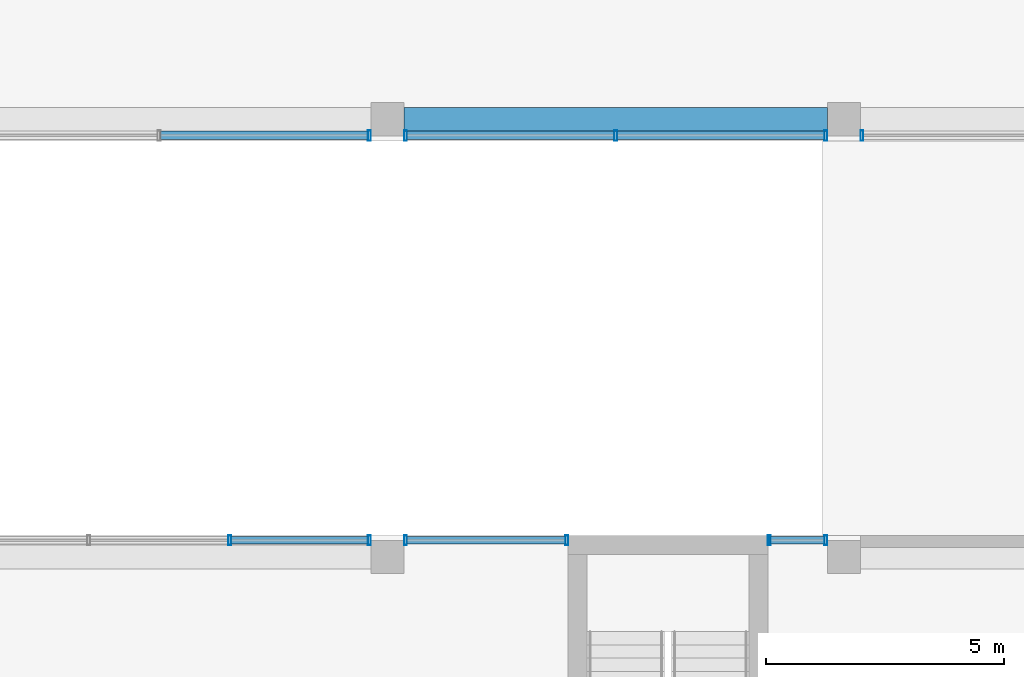
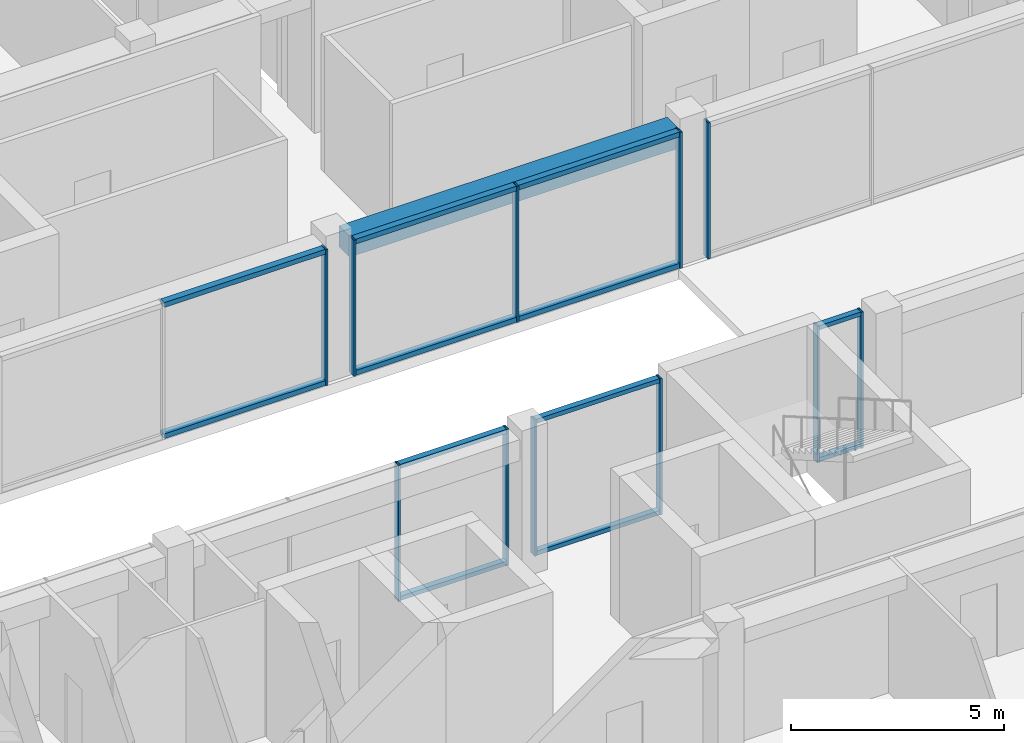
# One storey, part 9 of 27: 23 members, 1 beam, 6 elements without a shape of their own.
"""IFC4 building model written with IfcOpenShell, lengths in metres."""

import ifcopenshell
import ifcopenshell.guid

model = None  # the IFC model being written
_history = None  # IfcOwnerHistory: only IFC2X3 demands one
_inside = {}  # id of a spatial element -> (the spatial element, [elements in it])
_under = {}  # id of a project, library or spatial element -> (it, [spatial elements below it])
_declared = {}  # id of a project -> (the project, [libraries it declares])
_typed = {}  # id of a type object -> (the type object, [elements of that type])
_made_of = {}  # id of a material, layer set ... -> (it, [elements and type objects made of it])


def new_model(schema):
    """Start an empty IFC model of exactly this schema.

    Asked for "IFC4X3", IfcOpenShell would pick the latest addendum, in which some entities
    have other attributes; the version numbers below select the first issue.
    IFC2X3 requires an IfcOwnerHistory on every rooted entity: one is made here for all.
    """
    global model, _history
    if schema == "IFC4X3":
        model = ifcopenshell.file(schema_version=(4, 3, 0, 0))
    else:
        model = ifcopenshell.file(schema=schema)
    _inside.clear()
    _under.clear()
    _declared.clear()
    _typed.clear()
    _made_of.clear()
    _history = None
    if model.schema == "IFC2X3":
        org = make("IfcOrganization", Name="unknown")
        user = make(
            "IfcPersonAndOrganization",
            ThePerson=make("IfcPerson", FamilyName="unknown"),
            TheOrganization=org,
        )
        app = make(
            "IfcApplication",
            ApplicationDeveloper=org,
            Version="unknown",
            ApplicationFullName="unknown",
            ApplicationIdentifier="unknown",
        )
        _history = make(
            "IfcOwnerHistory",
            OwningUser=user,
            OwningApplication=app,
            ChangeAction="ADDED",
            CreationDate=0,
        )
    return model


def make(cls, **values):
    """One entity of the class cls with the attributes given. An attribute that is None is left unset."""
    return model.create_entity(
        cls, **{name: value for name, value in values.items() if value is not None}
    )


def rooted(cls, **values):
    """An entity with a GlobalId (a new one), such as an element, a storey or a relation."""
    return make(cls, GlobalId=ifcopenshell.guid.new(), OwnerHistory=_history, **values)


def si_unit(unit_type, name, prefix=None):
    """IfcSIUnit, for example si_unit("LENGTHUNIT", "METRE", prefix="MILLI")."""
    return make("IfcSIUnit", UnitType=unit_type, Prefix=prefix, Name=name)


def assignment(units):
    """IfcUnitAssignment: the units of a project."""
    return None if units is None else make("IfcUnitAssignment", Units=units)


def point(xyz):
    """IfcCartesianPoint."""
    return None if xyz is None else make("IfcCartesianPoint", Coordinates=xyz)


def direction(xyz):
    """IfcDirection."""
    return None if xyz is None else make("IfcDirection", DirectionRatios=xyz)


def frame(location, z_axis=None, x_axis=None):
    """IfcAxis2Placement3D, a coordinate frame: its origin and axes. An axis left out is left unset."""
    return make(
        "IfcAxis2Placement3D",
        Location=point(location),
        Axis=direction(z_axis),
        RefDirection=direction(x_axis),
    )


def frame_2d(location, x_axis=None):
    """IfcAxis2Placement2D, a coordinate frame in the plane: its origin and x axis."""
    return make(
        "IfcAxis2Placement2D", Location=point(location), RefDirection=direction(x_axis)
    )


def origin():
    """The frame at (0, 0, 0) with its axes left unset."""
    return frame((0.0, 0.0, 0.0))


def origin_2d():
    """The frame at (0, 0) in the plane with its x axis left unset."""
    return frame_2d((0.0, 0.0))


def place(relative_to, where):
    """IfcLocalPlacement: puts the frame where relative to a parent placement (None: the world)."""
    return make(
        "IfcLocalPlacement", PlacementRelTo=relative_to, RelativePlacement=where
    )


def context(
    kind, dimensions, precision=None, world=None, true_north=None, identifier=None
):
    """IfcGeometricRepresentationContext, for example the 3D "Model" context."""
    return make(
        "IfcGeometricRepresentationContext",
        ContextIdentifier=identifier,
        ContextType=kind,
        CoordinateSpaceDimension=dimensions,
        Precision=precision,
        WorldCoordinateSystem=world,
        TrueNorth=true_north,
    )


def subcontext(parent, identifier, kind, view, scale=None):
    """IfcGeometricRepresentationSubContext, for example "Body" below "Model"."""
    return make(
        "IfcGeometricRepresentationSubContext",
        ContextIdentifier=identifier,
        ContextType=kind,
        ParentContext=parent,
        TargetScale=scale,
        TargetView=view,
    )


def project(units=None, contexts=None):
    """IfcProject with its units and contexts."""
    return rooted(
        "IfcProject",
        Name="project",
        RepresentationContexts=contexts,
        UnitsInContext=assignment(units),
    )


def spatial(cls, under=None, at=None, **own):
    """A site, building, storey or space (cls), placed at a placement, below another one or the project."""
    s = rooted(cls, ObjectPlacement=at, **own)
    if under is not None:
        _under.setdefault(under.id(), (under, []))[1].append(s)
    return s


def profile(cls, at=None, kind="AREA", **sizes):
    """A parametric profile (cls). Its sizes go by their IFC names, for example OverallWidth=200.0."""
    return make(cls, ProfileType=kind, Position=at, **sizes)


def rectangle(**sizes):
    """IfcRectangleProfileDef."""
    return profile("IfcRectangleProfileDef", **sizes)


def hollow_rectangle(**sizes):
    """IfcRectangleHollowProfileDef."""
    return profile("IfcRectangleHollowProfileDef", **sizes)


def extrude(swept, where, along, depth):
    """IfcExtrudedAreaSolid: the profile swept, set in the frame where, extruded along a direction by depth."""
    return make(
        "IfcExtrudedAreaSolid",
        SweptArea=swept,
        Position=where,
        ExtrudedDirection=direction(along),
        Depth=depth,
    )


def shape(context_of_items, identifier, shape_type, items):
    """IfcShapeRepresentation: the items that make up one representation, for example the "Body"."""
    return make(
        "IfcShapeRepresentation",
        ContextOfItems=context_of_items,
        RepresentationIdentifier=identifier,
        RepresentationType=shape_type,
        Items=items,
    )


def material(Name=None, Category=None):
    """IfcMaterial."""
    return make("IfcMaterial", Name=Name, Category=Category)


def layer(
    of_material, thickness, ventilated=None, Name=None, Category=None, Priority=None
):
    """IfcMaterialLayer: one layer of a wall or slab, of a material (None: an air gap)."""
    return make(
        "IfcMaterialLayer",
        Material=of_material,
        LayerThickness=thickness,
        IsVentilated=ventilated,
        Name=Name,
        Category=Category,
        Priority=Priority,
    )


def layer_set(layers, Name=None):
    """IfcMaterialLayerSet."""
    return make("IfcMaterialLayerSet", MaterialLayers=layers, LayerSetName=Name)


def material_profile(
    of_material, cross_section, Name=None, Category=None, Priority=None
):
    """IfcMaterialProfile: a cross section and its material."""
    return make(
        "IfcMaterialProfile",
        Name=Name,
        Material=of_material,
        Profile=cross_section,
        Priority=Priority,
        Category=Category,
    )


def profile_set(profiles, Name=None, composite=None):
    """IfcMaterialProfileSet."""
    return make(
        "IfcMaterialProfileSet",
        Name=Name,
        MaterialProfiles=profiles,
        CompositeProfile=composite,
    )


def made_of(thing, what):
    """Note that an element or type object is made of a material, layer set ...; save() writes the relation."""
    if what is not None:
        _made_of.setdefault(what.id(), (what, []))[1].append(thing)
    return thing


def type_object(cls, material=None, **own):
    """A type object (cls), such as IfcWallType, which elements share."""
    return made_of(rooted(cls, **own), material)


def element(
    cls,
    number,
    at=None,
    inside=None,
    cuts=None,
    type_object=None,
    material=None,
    context=None,
    identifier="Body",
    shape_type=None,
    held_by="IfcProductDefinitionShape",
    body=None,
    shapes=None,
    **own,
):
    """One element of the class cls, such as IfcWall. Its Tag is "e" and its number.

    at: its placement. inside: the storey or other place that contains it. cuts: it is an
    opening in that element (IfcRelVoidsElement). A single representation is given by context,
    identifier, shape_type and body (its items); several are given by shapes. held_by: the class
    of the entity that holds the representations. save() writes the other relations.
    """
    e = rooted(cls, Tag="e%d" % number, ObjectPlacement=at, **own)
    if body is not None:
        shapes = [shape(context, identifier, shape_type, body)]
    if shapes is not None:
        e.Representation = make(held_by, Representations=shapes)
    if inside is not None:
        _inside.setdefault(inside.id(), (inside, []))[1].append(e)
    if cuts is not None:
        rooted(
            "IfcRelVoidsElement", RelatingBuildingElement=cuts, RelatedOpeningElement=e
        )
    if type_object is not None:
        _typed.setdefault(type_object.id(), (type_object, []))[1].append(e)
    return made_of(e, material)


def aggregate(whole, parts):
    """IfcRelAggregates: a whole, such as a stair, and the parts it consists of."""
    return rooted("IfcRelAggregates", RelatingObject=whole, RelatedObjects=parts)


def save(model, path):
    """Write the relations noted so far, then the file.

    IfcRelAggregates (storeys below a building ...), IfcRelContainedInSpatialStructure (elements
    in a storey), IfcRelDefinesByType, IfcRelAssociatesMaterial and IfcRelDeclares: one each for
    every whole, place, type object, material and project.
    """
    for whole, parts in _under.values():
        aggregate(whole, parts)
    for where, things in _inside.values():
        rooted(
            "IfcRelContainedInSpatialStructure",
            RelatedElements=things,
            RelatingStructure=where,
        )
    for kind, things in _typed.values():
        rooted("IfcRelDefinesByType", RelatedObjects=things, RelatingType=kind)
    for what, things in _made_of.values():
        rooted("IfcRelAssociatesMaterial", RelatedObjects=things, RelatingMaterial=what)
    for by, libraries in _declared.values():
        rooted("IfcRelDeclares", RelatingContext=by, RelatedDefinitions=libraries)
    model.write(path)


model = new_model("IFC4")

# Units and contexts
model_context = context("Model", 3, precision=1e-05, world=origin(), true_north=direction((0.0, 1.0)))
body_context = subcontext(model_context, "Body", "Model", "MODEL_VIEW")
ifc_project = project(units=[si_unit("LENGTHUNIT", "METRE"), si_unit("AREAUNIT", "SQUARE_METRE"), si_unit("VOLUMEUNIT", "CUBIC_METRE"), si_unit("PLANEANGLEUNIT", "RADIAN"), si_unit("MASSUNIT", "GRAM", prefix="KILO")], contexts=[model_context])

# Site, building, storey
site_placement = place(None, origin())
site = spatial("IfcSite", under=ifc_project, at=site_placement, CompositionType="ELEMENT")
building_placement = place(site_placement, origin())
building = spatial("IfcBuilding", under=site, at=building_placement, Name="Nzadi Deep Aquarium and Research Tower", CompositionType="ELEMENT")
storey_placement = place(building_placement, frame((0.0, 0.0, 69.699951171875)))
storey = spatial("IfcBuildingStorey", under=building, at=storey_placement, Name="L14", CompositionType="ELEMENT", Elevation=69.699951171875)

# Curtain wall, members
ifc_material_1 = material(Name="Aluminium unitised frame", Category="aluminium")
ifc_layer_1 = layer(ifc_material_1, 0.199951171875)
ifc_layer_set_1 = layer_set([ifc_layer_1], Name="Aluminium unitised frame")
curtain_wall_type_1 = type_object("IfcCurtainWallType", Name="Curtain wall Unitised 200", PredefinedType="NOTDEFINED", material=ifc_layer_set_1)
curtain_wall_1_placement = place(storey_placement, origin())
curtain_wall_1 = element("IfcCurtainWall", 1, at=curtain_wall_1_placement, inside=storey, type_object=curtain_wall_type_1, Name="Unitised curtain wall blade A north L14", PredefinedType="NOTDEFINED")
ifc_material_2 = material(Name="Aluminium unitised frame", Category="aluminium")
ifc_material_profile_1 = material_profile(ifc_material_2, hollow_rectangle(XDim=0.199951171875, YDim=0.06005859375, WallThickness=0.0048828125, at=origin_2d()))
ifc_profile_set_1 = profile_set([ifc_material_profile_1], Name="Aluminium unitised frame")
member_type_1 = type_object("IfcMemberType", Name="Mullion 60x200 Unitised", PredefinedType="MULLION", material=ifc_profile_set_1)
member_1_placement = place(storey_placement, frame((15.88330078125, 18.75, 0.0), z_axis=(0.0, 0.0, 1.0), x_axis=(0.0, 1.0, 0.0)))
member_1 = element("IfcMember", 2, at=member_1_placement, type_object=member_type_1, Name="CW066 mullion 3", PredefinedType="MULLION", context=body_context, shape_type="SweptSolid", body=[
    extrude(hollow_rectangle(XDim=0.199951171875, YDim=0.06005859375, WallThickness=0.0048828125, at=origin_2d()), origin(), (0.0, 0.0, 1.0), 3.900146484375),
])
member_2_placement = place(storey_placement, frame((18.820068359375, 18.75, 0.0), z_axis=(0.0, 0.0, 1.0), x_axis=(0.0, 1.0, 0.0)))
member_2 = element("IfcMember", 3, at=member_2_placement, type_object=member_type_1, Name="CW066 mullion 4", PredefinedType="MULLION", context=body_context, shape_type="SweptSolid", body=[
    extrude(hollow_rectangle(XDim=0.199951171875, YDim=0.06005859375, WallThickness=0.0048828125, at=origin_2d()), origin(), (0.0, 0.0, 1.0), 3.900146484375),
])

curtain_wall_2_placement = place(storey_placement, origin())
curtain_wall_2 = element("IfcCurtainWall", 4, at=curtain_wall_2_placement, inside=storey, type_object=curtain_wall_type_1, Name="Unitised curtain wall blade A north L14", PredefinedType="NOTDEFINED")
member_3_placement = place(storey_placement, frame((19.580078125, 18.75, 0.0), z_axis=(0.0, 0.0, 1.0), x_axis=(0.0, 1.0, 0.0)))
member_3 = element("IfcMember", 5, at=member_3_placement, type_object=member_type_1, Name="CW067 mullion 1", PredefinedType="MULLION", context=body_context, shape_type="SweptSolid", body=[
    extrude(hollow_rectangle(XDim=0.199951171875, YDim=0.06005859375, WallThickness=0.0048828125, at=origin_2d()), origin(), (0.0, 0.0, 1.0), 3.900146484375),
])
member_4_placement = place(storey_placement, frame((22.969970703125, 18.75, 0.0), z_axis=(0.0, 0.0, 1.0), x_axis=(0.0, 1.0, 0.0)))
member_4 = element("IfcMember", 6, at=member_4_placement, type_object=member_type_1, Name="CW067 mullion 2", PredefinedType="MULLION", context=body_context, shape_type="SweptSolid", body=[
    extrude(hollow_rectangle(XDim=0.199951171875, YDim=0.06005859375, WallThickness=0.0048828125, at=origin_2d()), origin(), (0.0, 0.0, 1.0), 3.900146484375),
])

curtain_wall_3_placement = place(storey_placement, origin())
curtain_wall_3 = element("IfcCurtainWall", 7, at=curtain_wall_3_placement, inside=storey, type_object=curtain_wall_type_1, Name="Unitised curtain wall blade A north L14", PredefinedType="NOTDEFINED")
member_5_placement = place(storey_placement, frame((27.22998046875, 18.75, 0.0), z_axis=(0.0, 0.0, 1.0), x_axis=(0.0, 1.0, 0.0)))
member_5 = element("IfcMember", 8, at=member_5_placement, type_object=member_type_1, Name="CW068 mullion 1", PredefinedType="MULLION", context=body_context, shape_type="SweptSolid", body=[
    extrude(hollow_rectangle(XDim=0.199951171875, YDim=0.06005859375, WallThickness=0.0048828125, at=origin_2d()), origin(), (0.0, 0.0, 1.0), 3.900146484375),
])
member_6_placement = place(storey_placement, frame((28.419921875, 18.75, 0.0), z_axis=(0.0, 0.0, 1.0), x_axis=(0.0, 1.0, 0.0)))
member_6 = element("IfcMember", 9, at=member_6_placement, type_object=member_type_1, Name="CW068 mullion 2", PredefinedType="MULLION", context=body_context, shape_type="SweptSolid", body=[
    extrude(hollow_rectangle(XDim=0.199951171875, YDim=0.06005859375, WallThickness=0.0048828125, at=origin_2d()), origin(), (0.0, 0.0, 1.0), 3.900146484375),
])

# Curtain wall, member
ifc_material_3 = material(Name="Aluminium unitised frame deep", Category="aluminium")
ifc_layer_2 = layer(ifc_material_3, 0.22509765625)
ifc_layer_set_2 = layer_set([ifc_layer_2], Name="Aluminium unitised frame deep")
curtain_wall_type_2 = type_object("IfcCurtainWallType", Name="Curtain wall Unitised Deep 225", PredefinedType="NOTDEFINED", material=ifc_layer_set_2)
curtain_wall_4_placement = place(storey_placement, origin())
curtain_wall_4 = element("IfcCurtainWall", 10, at=curtain_wall_4_placement, inside=storey, type_object=curtain_wall_type_2, Name="Unitised curtain wall blade B south L14", PredefinedType="NOTDEFINED")
ifc_material_4 = material(Name="Aluminium unitised frame deep", Category="aluminium")
ifc_material_profile_2 = material_profile(ifc_material_4, hollow_rectangle(XDim=0.22509765625, YDim=0.06005859375, WallThickness=0.0048828125, at=origin_2d()))
ifc_profile_set_2 = profile_set([ifc_material_profile_2], Name="Aluminium unitised frame deep")
member_type_2 = type_object("IfcMemberType", Name="Mullion 60x225 Unitised Deep", PredefinedType="MULLION", material=ifc_profile_set_2)
member_7_placement = place(storey_placement, frame((18.820068359375, 27.262451171875, 0.0), z_axis=(0.0, 0.0, 1.0), x_axis=(0.0, 1.0, 0.0)))
member_7 = element("IfcMember", 11, at=member_7_placement, type_object=member_type_2, Name="CW177 mullion 3", PredefinedType="MULLION", context=body_context, shape_type="SweptSolid", body=[
    extrude(hollow_rectangle(XDim=0.22509765625, YDim=0.06005859375, WallThickness=0.0048828125, at=origin_2d()), origin(), (0.0, 0.0, 1.0), 3.900146484375),
])

# Curtain wall, members
curtain_wall_5_placement = place(storey_placement, origin())
curtain_wall_5 = element("IfcCurtainWall", 12, at=curtain_wall_5_placement, inside=storey, type_object=curtain_wall_type_2, Name="Unitised curtain wall blade B south L14", PredefinedType="NOTDEFINED")
member_8_placement = place(storey_placement, frame((19.580078125, 27.262451171875, 0.0), z_axis=(0.0, 0.0, 1.0), x_axis=(0.0, 1.0, 0.0)))
member_8 = element("IfcMember", 13, at=member_8_placement, type_object=member_type_2, Name="CW178 mullion 1", PredefinedType="MULLION", context=body_context, shape_type="SweptSolid", body=[
    extrude(hollow_rectangle(XDim=0.22509765625, YDim=0.06005859375, WallThickness=0.0048828125, at=origin_2d()), origin(), (0.0, 0.0, 1.0), 3.900146484375),
])
member_9_placement = place(storey_placement, frame((24.0, 27.262451171875, 0.0), z_axis=(0.0, 0.0, 1.0), x_axis=(0.0, 1.0, 0.0)))
member_9 = element("IfcMember", 14, at=member_9_placement, type_object=member_type_2, Name="CW178 mullion 2", PredefinedType="MULLION", context=body_context, shape_type="SweptSolid", body=[
    extrude(hollow_rectangle(XDim=0.22509765625, YDim=0.06005859375, WallThickness=0.0048828125, at=origin_2d()), origin(), (0.0, 0.0, 1.0), 3.900146484375),
])
member_10_placement = place(storey_placement, frame((28.419921875, 27.262451171875, 0.0), z_axis=(0.0, 0.0, 1.0), x_axis=(0.0, 1.0, 0.0)))
member_10 = element("IfcMember", 15, at=member_10_placement, type_object=member_type_2, Name="CW178 mullion 3", PredefinedType="MULLION", context=body_context, shape_type="SweptSolid", body=[
    extrude(hollow_rectangle(XDim=0.22509765625, YDim=0.06005859375, WallThickness=0.0048828125, at=origin_2d()), origin(), (0.0, 0.0, 1.0), 3.900146484375),
])

# Curtain wall, member
curtain_wall_6_placement = place(storey_placement, origin())
curtain_wall_6 = element("IfcCurtainWall", 16, at=curtain_wall_6_placement, inside=storey, type_object=curtain_wall_type_2, Name="Unitised curtain wall blade B south L14", PredefinedType="NOTDEFINED")
member_11_placement = place(storey_placement, frame((29.179931640625, 27.262451171875, 0.0), z_axis=(0.0, 0.0, 1.0), x_axis=(0.0, 1.0, 0.0)))
member_11 = element("IfcMember", 17, at=member_11_placement, type_object=member_type_2, Name="CW179 mullion 1", PredefinedType="MULLION", context=body_context, shape_type="SweptSolid", body=[
    extrude(hollow_rectangle(XDim=0.22509765625, YDim=0.06005859375, WallThickness=0.0048828125, at=origin_2d()), origin(), (0.0, 0.0, 1.0), 3.900146484375),
])
aggregate(curtain_wall_6, [member_11])

# Beam
ifc_material_5 = material(Name="Concrete C35/45", Category="concrete")
ifc_material_profile_3 = material_profile(ifc_material_5, rectangle(XDim=0.5, YDim=0.60009765625, at=origin_2d()))
ifc_profile_set_3 = profile_set([ifc_material_profile_3], Name="Concrete C35/45")
beam_type = type_object("IfcBeamType", Name="RC 500x600", PredefinedType="BEAM", material=ifc_profile_set_3)
beam_placement = place(storey_placement, frame((19.550048828125, 27.60009765625, 3.60009765625), z_axis=(1.0, 0.0, 0.0), x_axis=(0.0, 1.0, 0.0)))
element("IfcBeam", 18, at=beam_placement, inside=storey, type_object=beam_type, Name="B-Z1-L14-L4-3", PredefinedType="BEAM", context=body_context, shape_type="SweptSolid", body=[
    extrude(rectangle(XDim=0.5, YDim=0.60009765625, at=origin_2d()), origin(), (0.0, 0.0, 1.0), 8.89990234375),
])

# Member
ifc_material_6 = material(Name="Aluminium unitised frame", Category="aluminium")
ifc_material_profile_4 = material_profile(ifc_material_6, hollow_rectangle(XDim=0.159912109375, YDim=0.1201171875, WallThickness=0.0048828125, at=origin_2d()))
ifc_profile_set_4 = profile_set([ifc_material_profile_4], Name="Aluminium unitised frame")
member_type_3 = type_object("IfcMemberType", Name="Transom 120x160 Unitised", PredefinedType="MULLION", material=ifc_profile_set_4)
member_12_placement = place(storey_placement, frame((15.913330078125, 18.75, 0.06005859375), z_axis=(1.0, 0.0, 0.0), x_axis=(0.0, 1.0, 0.0)))
member_12 = element("IfcMember", 19, at=member_12_placement, type_object=member_type_3, Name="CW066 transom 3.1", PredefinedType="MULLION", context=body_context, shape_type="SweptSolid", body=[
    extrude(hollow_rectangle(XDim=0.159912109375, YDim=0.1201171875, WallThickness=0.0048828125, at=origin_2d()), origin(), (0.0, 0.0, 1.0), 2.876708984375),
])

member_13_placement = place(storey_placement, frame((15.913330078125, 18.75, 3.840087890625), z_axis=(1.0, 0.0, 0.0), x_axis=(0.0, 1.0, 0.0)))
member_13 = element("IfcMember", 20, at=member_13_placement, type_object=member_type_3, Name="CW066 transom 3.2", PredefinedType="MULLION", context=body_context, shape_type="SweptSolid", body=[
    extrude(hollow_rectangle(XDim=0.159912109375, YDim=0.1201171875, WallThickness=0.0048828125, at=origin_2d()), origin(), (0.0, 0.0, 1.0), 2.876708984375),
])

aggregate(curtain_wall_1, [member_1, member_2, member_12, member_13])

member_14_placement = place(storey_placement, frame((19.610107421875, 18.75, 0.06005859375), z_axis=(1.0, 0.0, 0.0), x_axis=(0.0, 1.0, 0.0)))
member_14 = element("IfcMember", 21, at=member_14_placement, type_object=member_type_3, Name="CW067 transom 1.1", PredefinedType="MULLION", context=body_context, shape_type="SweptSolid", body=[
    extrude(hollow_rectangle(XDim=0.159912109375, YDim=0.1201171875, WallThickness=0.0048828125, at=origin_2d()), origin(), (0.0, 0.0, 1.0), 3.329833984375),
])

member_15_placement = place(storey_placement, frame((19.610107421875, 18.75, 3.840087890625), z_axis=(1.0, 0.0, 0.0), x_axis=(0.0, 1.0, 0.0)))
member_15 = element("IfcMember", 22, at=member_15_placement, type_object=member_type_3, Name="CW067 transom 1.2", PredefinedType="MULLION", context=body_context, shape_type="SweptSolid", body=[
    extrude(hollow_rectangle(XDim=0.159912109375, YDim=0.1201171875, WallThickness=0.0048828125, at=origin_2d()), origin(), (0.0, 0.0, 1.0), 3.329833984375),
])

aggregate(curtain_wall_2, [member_3, member_4, member_14, member_15])

member_16_placement = place(storey_placement, frame((27.260009765625, 18.75, 0.06005859375), z_axis=(1.0, 0.0, 0.0), x_axis=(0.0, 1.0, 0.0)))
member_16 = element("IfcMember", 23, at=member_16_placement, type_object=member_type_3, Name="CW068 transom 1.1", PredefinedType="MULLION", context=body_context, shape_type="SweptSolid", body=[
    extrude(hollow_rectangle(XDim=0.159912109375, YDim=0.1201171875, WallThickness=0.0048828125, at=origin_2d()), origin(), (0.0, 0.0, 1.0), 1.1298828125),
])

member_17_placement = place(storey_placement, frame((27.260009765625, 18.75, 3.840087890625), z_axis=(1.0, 0.0, 0.0), x_axis=(0.0, 1.0, 0.0)))
member_17 = element("IfcMember", 24, at=member_17_placement, type_object=member_type_3, Name="CW068 transom 1.2", PredefinedType="MULLION", context=body_context, shape_type="SweptSolid", body=[
    extrude(hollow_rectangle(XDim=0.159912109375, YDim=0.1201171875, WallThickness=0.0048828125, at=origin_2d()), origin(), (0.0, 0.0, 1.0), 1.1298828125),
])

aggregate(curtain_wall_3, [member_5, member_6, member_16, member_17])

ifc_material_7 = material(Name="Aluminium unitised frame deep", Category="aluminium")
ifc_material_profile_5 = material_profile(ifc_material_7, hollow_rectangle(XDim=0.179931640625, YDim=0.139892578125, WallThickness=0.0048828125, at=origin_2d()))
ifc_profile_set_5 = profile_set([ifc_material_profile_5], Name="Aluminium unitised frame deep")
member_type_4 = type_object("IfcMemberType", Name="Transom 140x180 Unitised Deep", PredefinedType="MULLION", material=ifc_profile_set_5)
member_18_placement = place(storey_placement, frame((14.429931640625, 27.262451171875, 0.070068359375), z_axis=(1.0, 0.0, 0.0), x_axis=(0.0, 1.0, 0.0)))
member_18 = element("IfcMember", 25, at=member_18_placement, type_object=member_type_4, Name="CW177 transom 2.1", PredefinedType="MULLION", context=body_context, shape_type="SweptSolid", body=[
    extrude(hollow_rectangle(XDim=0.179931640625, YDim=0.139892578125, WallThickness=0.0048828125, at=origin_2d()), origin(), (0.0, 0.0, 1.0), 4.360107421875),
])

member_19_placement = place(storey_placement, frame((14.429931640625, 27.262451171875, 3.830078125), z_axis=(1.0, 0.0, 0.0), x_axis=(0.0, 1.0, 0.0)))
member_19 = element("IfcMember", 26, at=member_19_placement, type_object=member_type_4, Name="CW177 transom 2.2", PredefinedType="MULLION", context=body_context, shape_type="SweptSolid", body=[
    extrude(hollow_rectangle(XDim=0.179931640625, YDim=0.139892578125, WallThickness=0.0048828125, at=origin_2d()), origin(), (0.0, 0.0, 1.0), 4.360107421875),
])

aggregate(curtain_wall_4, [member_7, member_18, member_19])

member_20_placement = place(storey_placement, frame((19.610107421875, 27.262451171875, 0.070068359375), z_axis=(1.0, 0.0, 0.0), x_axis=(0.0, 1.0, 0.0)))
member_20 = element("IfcMember", 27, at=member_20_placement, type_object=member_type_4, Name="CW178 transom 1.1", PredefinedType="MULLION", context=body_context, shape_type="SweptSolid", body=[
    extrude(hollow_rectangle(XDim=0.179931640625, YDim=0.139892578125, WallThickness=0.0048828125, at=origin_2d()), origin(), (0.0, 0.0, 1.0), 4.35986328125),
])

member_21_placement = place(storey_placement, frame((19.610107421875, 27.262451171875, 3.830078125), z_axis=(1.0, 0.0, 0.0), x_axis=(0.0, 1.0, 0.0)))
member_21 = element("IfcMember", 28, at=member_21_placement, type_object=member_type_4, Name="CW178 transom 1.2", PredefinedType="MULLION", context=body_context, shape_type="SweptSolid", body=[
    extrude(hollow_rectangle(XDim=0.179931640625, YDim=0.139892578125, WallThickness=0.0048828125, at=origin_2d()), origin(), (0.0, 0.0, 1.0), 4.35986328125),
])

member_22_placement = place(storey_placement, frame((24.030029296875, 27.262451171875, 0.070068359375), z_axis=(1.0, 0.0, 0.0), x_axis=(0.0, 1.0, 0.0)))
member_22 = element("IfcMember", 29, at=member_22_placement, type_object=member_type_4, Name="CW178 transom 2.1", PredefinedType="MULLION", context=body_context, shape_type="SweptSolid", body=[
    extrude(hollow_rectangle(XDim=0.179931640625, YDim=0.139892578125, WallThickness=0.0048828125, at=origin_2d()), origin(), (0.0, 0.0, 1.0), 4.35986328125),
])

member_23_placement = place(storey_placement, frame((24.030029296875, 27.262451171875, 3.830078125), z_axis=(1.0, 0.0, 0.0), x_axis=(0.0, 1.0, 0.0)))
member_23 = element("IfcMember", 30, at=member_23_placement, type_object=member_type_4, Name="CW178 transom 2.2", PredefinedType="MULLION", context=body_context, shape_type="SweptSolid", body=[
    extrude(hollow_rectangle(XDim=0.179931640625, YDim=0.139892578125, WallThickness=0.0048828125, at=origin_2d()), origin(), (0.0, 0.0, 1.0), 4.35986328125),
])

aggregate(curtain_wall_5, [member_8, member_9, member_10, member_20, member_21, member_22, member_23])

save(model, "model.ifc")
